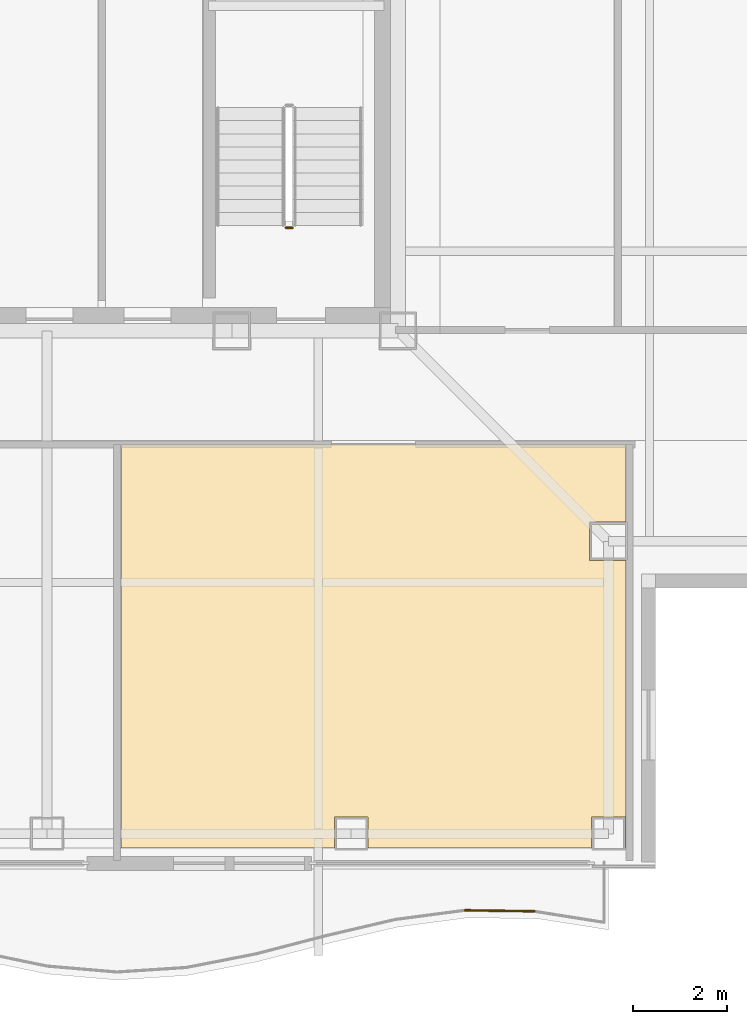
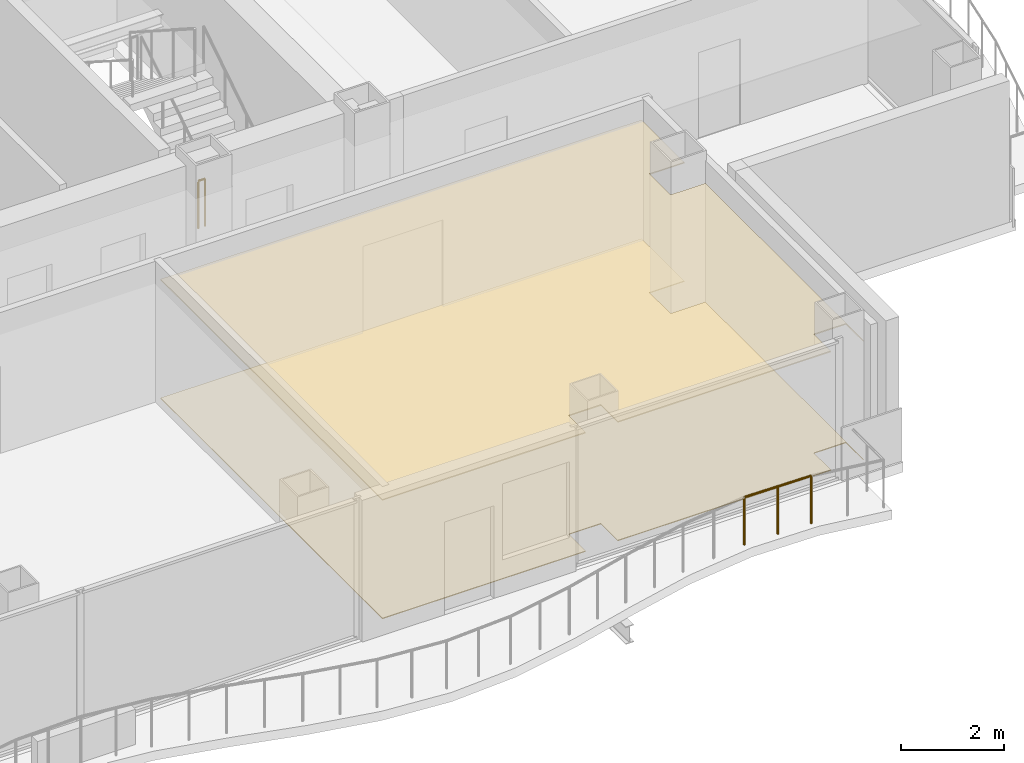
# One storey, part 14 of 17: 2 coverings, 2 railings.
"""IFC4 building model written with IfcOpenShell, lengths in metres."""

from ifc_helpers import new_model, si_unit, direction, frame, origin, origin_2d, place, context, subcontext, project, spatial, polyline, circle, outline, extrude, material, layer, layer_set, type_object, element, save


model = new_model("IFC4")

# Units and contexts
model_context = context("Model", 3, precision=1e-05, world=origin(), true_north=direction((0.0, 1.0)))
body_context = subcontext(model_context, "Body", "Model", "MODEL_VIEW")
ifc_project = project(units=[si_unit("LENGTHUNIT", "METRE"), si_unit("AREAUNIT", "SQUARE_METRE"), si_unit("VOLUMEUNIT", "CUBIC_METRE"), si_unit("PLANEANGLEUNIT", "RADIAN"), si_unit("MASSUNIT", "GRAM", prefix="KILO")], contexts=[model_context])

# Site, building, storey
site_placement = place(None, origin())
site = spatial("IfcSite", under=ifc_project, at=site_placement, CompositionType="ELEMENT")
building_placement = place(site_placement, origin())
building = spatial("IfcBuilding", under=site, at=building_placement, Name="Trevonay Congress Spire", CompositionType="ELEMENT")
storey_placement = place(building_placement, frame((0.0, 0.0, 264.800048828125)))
storey = spatial("IfcBuildingStorey", under=building, at=storey_placement, Name="L69", CompositionType="ELEMENT", Elevation=264.800048828125)

# Coverings
ifc_material_1 = material(Name="Acoustic Mineral Fibre Board", Category="gypsum")
ifc_layer_1 = layer(ifc_material_1, 0.02490234375, Name="Acoustic Mineral Fibre Board")
ifc_layer_set_1 = layer_set([ifc_layer_1], Name="Acoustic Mineral Fibre Board")
covering_type_1 = type_object("IfcCoveringType", Name="COV-CEIL-ACOUSTIC", PredefinedType="CEILING", material=ifc_layer_set_1)
covering_1_placement = place(storey_placement, frame((0.0, 0.0, 2.81005859375)))
element("IfcCovering", 1, at=covering_1_placement, inside=storey, type_object=covering_type_1, Name="L69 Sculpture Terrace Salon Lounge acoustic suspended ceiling", PredefinedType="CEILING", context=body_context, shape_type="SweptSolid", body=[
    extrude(outline(polyline([(1.580078125, -18.550048828125), (1.580078125, -9.929931640625), (12.3701171875, -9.929931640625), (12.3701171875, -11.590087890625), (11.590087890625, -11.590087890625), (11.590087890625, -12.409912109375), (12.3701171875, -12.409912109375), (12.3701171875, -18.550048828125), (12.360107421875, -18.550048828125), (12.360107421875, -17.889892578125), (11.639892578125, -17.889892578125), (11.639892578125, -18.550048828125), (6.860107421875, -18.550048828125), (6.860107421875, -17.889892578125), (6.139892578125, -17.889892578125), (6.139892578125, -18.550048828125), (1.580078125, -18.550048828125)])), origin(), (0.0, 0.0, 1.0), 0.02490234375),
])
ifc_material_2 = material(Name="Engineered Oak Flooring", Category="wood")
ifc_layer_2 = layer(ifc_material_2, 0.01806640625, Name="Engineered Oak Flooring")
ifc_layer_set_2 = layer_set([ifc_layer_2], Name="Engineered Oak Flooring")
covering_type_2 = type_object("IfcCoveringType", Name="COV-FLOOR-TIMBER", PredefinedType="FLOORING", material=ifc_layer_set_2)
covering_2_placement = place(storey_placement, origin())
element("IfcCovering", 2, at=covering_2_placement, inside=storey, type_object=covering_type_2, Name="L69 Sculpture Terrace Salon Lounge floor finish", PredefinedType="FLOORING", context=body_context, shape_type="SweptSolid", body=[
    extrude(outline(polyline([(1.580078125, -18.550048828125), (1.580078125, -9.929931640625), (12.3701171875, -9.929931640625), (12.3701171875, -11.590087890625), (11.590087890625, -11.590087890625), (11.590087890625, -12.409912109375), (12.3701171875, -12.409912109375), (12.3701171875, -18.550048828125), (12.360107421875, -18.550048828125), (12.360107421875, -17.889892578125), (11.639892578125, -17.889892578125), (11.639892578125, -18.550048828125), (6.860107421875, -18.550048828125), (6.860107421875, -17.889892578125), (6.139892578125, -17.889892578125), (6.139892578125, -18.550048828125), (1.580078125, -18.550048828125)])), origin(), (0.0, 0.0, 1.0), 0.01806640625),
])

# Railings
ifc_material_3 = material(Name="Pale Anodised Aluminium EN AW-6063-T6", Category="aluminium")
railing_type_1 = type_object("IfcRailingType", Name="RAL-EXT-GUARD-115", PredefinedType="GUARDRAIL", material=ifc_material_3)
railing_1_placement = place(storey_placement, frame((8.927978515625, -19.884033203125, 0.0)))
element("IfcRailing", 3, at=railing_1_placement, inside=storey, type_object=railing_type_1, Name="L69 perimeter safety guard GRD-L69-WAV-S-15", PredefinedType="GUARDRAIL", context=body_context, shape_type="SweptSolid", body=[
    extrude(circle(Radius=0.02392578125, at=origin_2d()), frame((0.0, 0.0, 1.1259765625), z_axis=(0.999890997467, -0.014764592251, 0.0), x_axis=(0.014764592251, 0.999890997467, 0.0)), (0.0, 0.0, 1.0), 1.48828125),
    extrude(circle(Radius=0.02099609375, at=origin_2d()), origin(), (0.0, 0.0, 1.0), 1.101806640625),
    extrude(circle(Radius=0.02099609375, at=origin_2d()), frame((0.744140625, -0.010986328125, 0.0)), (0.0, 0.0, 1.0), 1.101806640625),
    extrude(circle(Radius=0.02099609375, at=origin_2d()), frame((1.488037109375, -0.02197265625, 0.0)), (0.0, 0.0, 1.0), 1.101806640625),
])
railing_type_2 = type_object("IfcRailingType", Name="RAL-STAIR-GUARD-110", PredefinedType="GUARDRAIL", material=ifc_material_3)
railing_2_placement = place(storey_placement, frame((5.25, -5.300048828125, 0.0)))
element("IfcRailing", 4, at=railing_2_placement, inside=storey, type_object=railing_type_2, Name="L69 ST-2 stair guard 4", PredefinedType="GUARDRAIL", context=body_context, shape_type="SweptSolid", body=[
    extrude(circle(Radius=0.02392578125, at=origin_2d()), frame((0.0, 0.0, 1.1259765625), z_axis=(-1.0, 0.0, 0.0), x_axis=(0.0, -1.0, 0.0)), (0.0, 0.0, 1.0), 0.14990234375),
    extrude(circle(Radius=0.02099609375, at=origin_2d()), origin(), (0.0, 0.0, 1.0), 1.101806640625),
    extrude(circle(Radius=0.02099609375, at=origin_2d()), frame((-0.14990234375, 0.0, 0.0)), (0.0, 0.0, 1.0), 1.101806640625),
])

save(model, "model.ifc")
